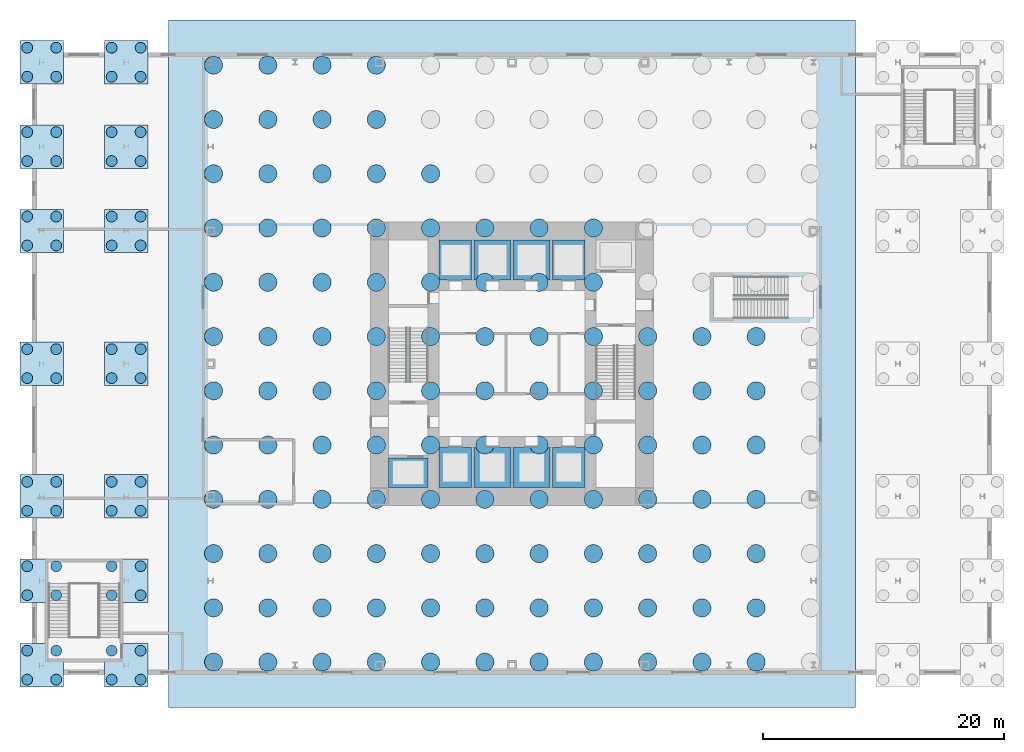
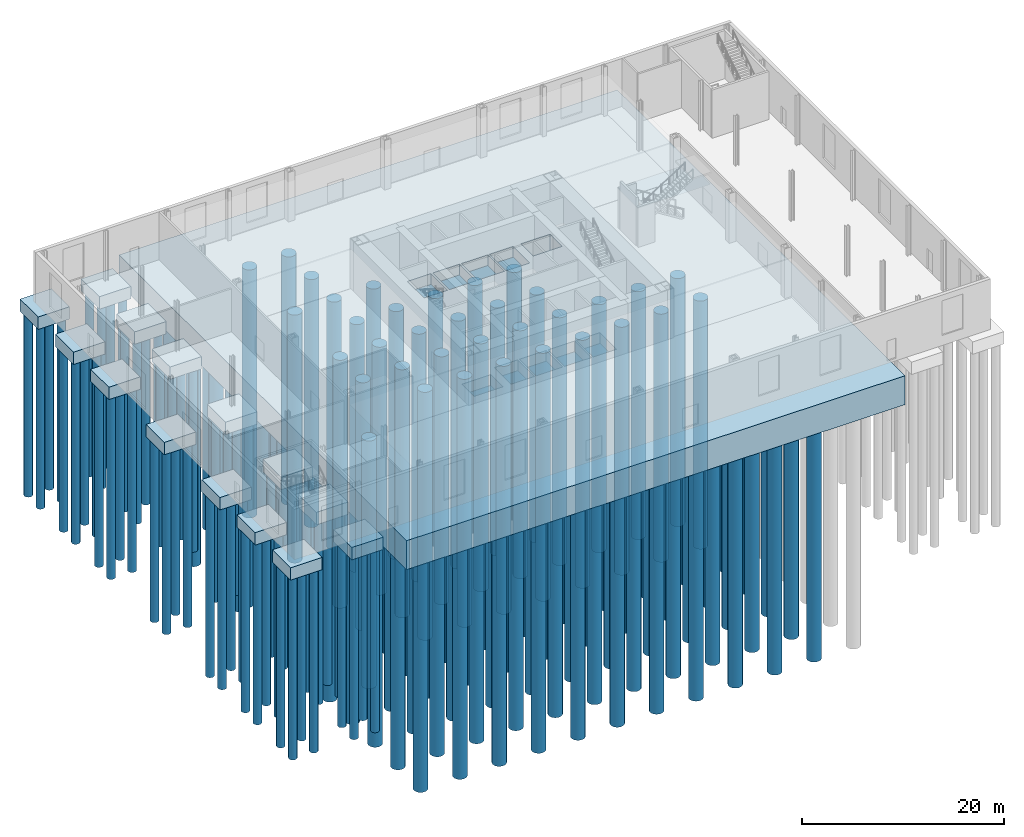
# One storey, part 1 of 16: 162 piles, 24 footings.
"""IFC4 building model written with IfcOpenShell, lengths in metres."""

from ifc_helpers import new_model, si_unit, direction, frame, origin, origin_2d, place, context, subcontext, project, spatial, polyline, circle, outline, extrude, material, layer, layer_set, material_profile, profile_set, type_object, element, save


model = new_model("IFC4")

# Units and contexts
model_context = context("Model", 3, precision=1e-05, world=origin(), true_north=direction((0.0, 1.0)))
body_context = subcontext(model_context, "Body", "Model", "MODEL_VIEW")
ifc_project = project(units=[si_unit("LENGTHUNIT", "METRE"), si_unit("AREAUNIT", "SQUARE_METRE"), si_unit("VOLUMEUNIT", "CUBIC_METRE"), si_unit("PLANEANGLEUNIT", "RADIAN"), si_unit("MASSUNIT", "GRAM", prefix="KILO")], contexts=[model_context])

# Site, building, storey
site_placement = place(None, origin())
site = spatial("IfcSite", under=ifc_project, at=site_placement, CompositionType="ELEMENT")
building_placement = place(site_placement, origin())
building = spatial("IfcBuilding", under=site, at=building_placement, Name="Trevanion Tower", CompositionType="ELEMENT")
storey_placement = place(building_placement, origin())
storey = spatial("IfcBuildingStorey", under=building, at=storey_placement, Name="L00", CompositionType="ELEMENT", Elevation=0.0)

# Piles
ifc_material_1 = material(Name="Concrete 6,000 psi", Category="concrete")
ifc_material_profile_1 = material_profile(ifc_material_1, circle(Radius=0.449951171875, at=origin_2d()), Name="BP1 bored pile 900")
ifc_profile_set_1 = profile_set([ifc_material_profile_1], Name="Concrete 6,000 psi")
pile_type_1 = type_object("IfcPileType", Name="BP1 bored pile 900", PredefinedType="BORED", material=ifc_profile_set_1)
for number, where, z_axis, x_axis, name in (
    (1, (-40.199951171875, -26.199951171875, -1.800048828125), (0.0, 0.0, -1.0), (1.0, 0.0, 0.0), "BP1 1/A 1"),
    (2, (-37.800048828125, -26.199951171875, -1.800048828125), (0.0, 0.0, -1.0), (1.0, 0.0, 0.0), "BP1 1/A 2"),
    (3, (-37.800048828125, -23.800048828125, -1.800048828125), (0.0, 0.0, -1.0), (1.0, 0.0, 0.0), "BP1 1/A 3"),
    (4, (-40.199951171875, -23.800048828125, -1.800048828125), (0.0, 0.0, -1.0), (1.0, 0.0, 0.0), "BP1 1/A 4"),
    (5, (-40.199951171875, -19.199951171875, -1.800048828125), (0.0, 0.0, -1.0), (1.0, 0.0, 0.0), "BP1 1/D 1"),
    (6, (-37.800048828125, -19.199951171875, -1.800048828125), (0.0, 0.0, -1.0), (1.0, 0.0, 0.0), "BP1 1/D 2"),
    (7, (-37.800048828125, -16.800048828125, -1.800048828125), (0.0, 0.0, -1.0), (1.0, 0.0, 0.0), "BP1 1/D 3"),
    (8, (-40.199951171875, -16.800048828125, -1.800048828125), (0.0, 0.0, -1.0), (1.0, 0.0, 0.0), "BP1 1/D 4"),
    (9, (-40.199951171875, -12.199951171875, -1.800048828125), (0.0, 0.0, -1.0), (1.0, 0.0, 0.0), "BP1 1/F 1"),
    (10, (-37.800048828125, -12.199951171875, -1.800048828125), (0.0, 0.0, -1.0), (1.0, 0.0, 0.0), "BP1 1/F 2"),
    (11, (-37.800048828125, -9.800048828125, -1.800048828125), (0.0, 0.0, -1.0), (1.0, 0.0, 0.0), "BP1 1/F 3"),
    (12, (-40.199951171875, -9.800048828125, -1.800048828125), (0.0, 0.0, -1.0), (1.0, 0.0, 0.0), "BP1 1/F 4"),
    (13, (-40.199951171875, -1.199951171875, -1.800048828125), (0.0, 0.0, -1.0), (1.0, 0.0, 0.0), "BP1 1/H 1"),
    (14, (-37.800048828125, -1.199951171875, -1.800048828125), (0.0, 0.0, -1.0), (1.0, 0.0, 0.0), "BP1 1/H 2"),
    (15, (-37.800048828125, 1.199951171875, -1.800048828125), (0.0, 0.0, -1.0), (1.0, 0.0, 0.0), "BP1 1/H 3"),
    (16, (-40.199951171875, 1.199951171875, -1.800048828125), (0.0, 0.0, -1.0), (1.0, 0.0, 0.0), "BP1 1/H 4"),
    (17, (-40.199951171875, 9.800048828125, -1.800048828125), (0.0, 0.0, -1.0), (1.0, 0.0, 0.0), "BP1 1/K 1"),
    (18, (-37.800048828125, 9.800048828125, -1.800048828125), (0.0, 0.0, -1.0), (1.0, 0.0, 0.0), "BP1 1/K 2"),
    (19, (-37.800048828125, 12.199951171875, -1.800048828125), (0.0, 0.0, -1.0), (1.0, 0.0, 0.0), "BP1 1/K 3"),
    (20, (-40.199951171875, 12.199951171875, -1.800048828125), (0.0, 0.0, -1.0), (1.0, 0.0, 0.0), "BP1 1/K 4"),
    (21, (-40.199951171875, 16.800048828125, -1.800048828125), (0.0, 0.0, -1.0), (1.0, 0.0, 0.0), "BP1 1/M 1"),
    (22, (-37.800048828125, 16.800048828125, -1.800048828125), (0.0, 0.0, -1.0), (1.0, 0.0, 0.0), "BP1 1/M 2"),
    (23, (-37.800048828125, 19.199951171875, -1.800048828125), (0.0, 0.0, -1.0), (1.0, 0.0, 0.0), "BP1 1/M 3"),
    (24, (-40.199951171875, 19.199951171875, -1.800048828125), (0.0, 0.0, -1.0), (1.0, 0.0, 0.0), "BP1 1/M 4"),
    (25, (-40.199951171875, 23.800048828125, -1.800048828125), (0.0, 0.0, -1.0), (1.0, 0.0, 0.0), "BP1 1/Q 1"),
    (26, (-37.800048828125, 23.800048828125, -1.800048828125), (0.0, 0.0, -1.0), (1.0, 0.0, 0.0), "BP1 1/Q 2"),
    (27, (-37.800048828125, 26.199951171875, -1.800048828125), (0.0, 0.0, -1.0), (1.0, 0.0, 0.0), "BP1 1/Q 3"),
    (28, (-40.199951171875, 26.199951171875, -1.800048828125), (0.0, 0.0, -1.0), (1.0, 0.0, 0.0), "BP1 1/Q 4"),
    (29, (-33.199951171875, -26.199951171875, -1.800048828125), (0.0, 0.0, -1.0), (1.0, 0.0, 0.0), "BP1 2/A 1"),
    (30, (-30.800048828125, -26.199951171875, -1.800048828125), (0.0, 0.0, -1.0), (1.0, 0.0, 0.0), "BP1 2/A 2"),
    (31, (-30.800048828125, -23.800048828125, -1.800048828125), (0.0, 0.0, -1.0), (1.0, 0.0, 0.0), "BP1 2/A 3"),
    (32, (-33.199951171875, -23.800048828125, -1.800048828125), (0.0, 0.0, -1.0), (1.0, 0.0, 0.0), "BP1 2/A 4"),
    (33, (-33.199951171875, -19.199951171875, -1.800048828125), (0.0, 0.0, -1.0), (1.0, 0.0, 0.0), "BP1 2/D 1"),
    (34, (-30.800048828125, -19.199951171875, -1.800048828125), (0.0, 0.0, -1.0), (1.0, 0.0, 0.0), "BP1 2/D 2"),
    (35, (-30.800048828125, -16.800048828125, -1.800048828125), (0.0, 0.0, -1.0), (1.0, 0.0, 0.0), "BP1 2/D 3"),
    (36, (-33.199951171875, -16.800048828125, -1.800048828125), (0.0, 0.0, -1.0), (1.0, 0.0, 0.0), "BP1 2/D 4"),
    (37, (-33.199951171875, -12.199951171875, -1.800048828125), (0.0, 0.0, -1.0), (1.0, 0.0, 0.0), "BP1 2/F 1"),
    (38, (-30.800048828125, -12.199951171875, -1.800048828125), (0.0, 0.0, -1.0), (1.0, 0.0, 0.0), "BP1 2/F 2"),
    (39, (-30.800048828125, -9.800048828125, -1.800048828125), (0.0, 0.0, -1.0), (1.0, 0.0, 0.0), "BP1 2/F 3"),
    (40, (-33.199951171875, -9.800048828125, -1.800048828125), (0.0, 0.0, -1.0), (1.0, 0.0, 0.0), "BP1 2/F 4"),
    (41, (-33.199951171875, -1.199951171875, -1.800048828125), (0.0, 0.0, -1.0), (1.0, 0.0, 0.0), "BP1 2/H 1"),
    (42, (-30.800048828125, -1.199951171875, -1.800048828125), (0.0, 0.0, -1.0), (1.0, 0.0, 0.0), "BP1 2/H 2"),
    (43, (-30.800048828125, 1.199951171875, -1.800048828125), (0.0, 0.0, -1.0), (1.0, 0.0, 0.0), "BP1 2/H 3"),
    (44, (-33.199951171875, 1.199951171875, -1.800048828125), (0.0, 0.0, -1.0), (1.0, 0.0, 0.0), "BP1 2/H 4"),
    (45, (-33.199951171875, 9.800048828125, -1.800048828125), (0.0, 0.0, -1.0), (1.0, 0.0, 0.0), "BP1 2/K 1"),
    (46, (-30.800048828125, 9.800048828125, -1.800048828125), (0.0, 0.0, -1.0), (1.0, 0.0, 0.0), "BP1 2/K 2"),
    (47, (-30.800048828125, 12.199951171875, -1.800048828125), (0.0, 0.0, -1.0), (1.0, 0.0, 0.0), "BP1 2/K 3"),
    (48, (-33.199951171875, 12.199951171875, -1.800048828125), (0.0, 0.0, -1.0), (1.0, 0.0, 0.0), "BP1 2/K 4"),
    (49, (-33.199951171875, 16.800048828125, -1.800048828125), (0.0, 0.0, -1.0), (1.0, 0.0, 0.0), "BP1 2/M 1"),
    (50, (-30.800048828125, 16.800048828125, -1.800048828125), (0.0, 0.0, -1.0), (1.0, 0.0, 0.0), "BP1 2/M 2"),
    (51, (-30.800048828125, 19.199951171875, -1.800048828125), (0.0, 0.0, -1.0), (1.0, 0.0, 0.0), "BP1 2/M 3"),
    (52, (-33.199951171875, 19.199951171875, -1.800048828125), (0.0, 0.0, -1.0), (1.0, 0.0, 0.0), "BP1 2/M 4"),
    (53, (-33.199951171875, 23.800048828125, -1.800048828125), (0.0, 0.0, -1.0), (1.0, 0.0, 0.0), "BP1 2/Q 1"),
    (54, (-30.800048828125, 23.800048828125, -1.800048828125), (0.0, 0.0, -1.0), (1.0, 0.0, 0.0), "BP1 2/Q 2"),
    (55, (-30.800048828125, 26.199951171875, -1.800048828125), (0.0, 0.0, -1.0), (1.0, 0.0, 0.0), "BP1 2/Q 3"),
    (56, (-33.199951171875, 26.199951171875, -1.800048828125), (0.0, 0.0, -1.0), (1.0, 0.0, 0.0), "BP1 2/Q 4"),
):
    element("IfcPile", number, at=place(storey_placement, frame(where, z_axis=z_axis, x_axis=x_axis)), inside=storey, type_object=pile_type_1, Name=name, PredefinedType="BORED", context=body_context, shape_type="SweptSolid", body=[
        extrude(circle(Radius=0.449951171875, at=origin_2d()), origin(), (0.0, 0.0, 1.0), 22.0),
    ])
ifc_material_2 = material(Name="Concrete 6,000 psi", Category="concrete")
ifc_material_profile_2 = material_profile(ifc_material_2, circle(Radius=0.75, at=origin_2d()), Name="DS1 drilled shaft 1500")
ifc_profile_set_2 = profile_set([ifc_material_profile_2], Name="Concrete 6,000 psi")
pile_type_2 = type_object("IfcPileType", Name="DS1 drilled shaft 1500", PredefinedType="BORED", material=ifc_profile_set_2)
for number, where, z_axis, x_axis, name in (
    (57, (-24.75, -24.75, -3.800048828125), (0.0, 0.0, -1.0), (1.0, 0.0, 0.0), "DS1-001"),
    (58, (-24.75, -20.25, -3.800048828125), (0.0, 0.0, -1.0), (1.0, 0.0, 0.0), "DS1-002"),
    (59, (-24.75, -15.75, -3.800048828125), (0.0, 0.0, -1.0), (1.0, 0.0, 0.0), "DS1-003"),
    (60, (-24.75, -11.25, -3.800048828125), (0.0, 0.0, -1.0), (1.0, 0.0, 0.0), "DS1-004"),
    (61, (-24.75, -6.75, -3.800048828125), (0.0, 0.0, -1.0), (1.0, 0.0, 0.0), "DS1-005"),
    (62, (-24.75, -2.25, -3.800048828125), (0.0, 0.0, -1.0), (1.0, 0.0, 0.0), "DS1-006"),
    (63, (-24.75, 2.25, -3.800048828125), (0.0, 0.0, -1.0), (1.0, 0.0, 0.0), "DS1-007"),
    (64, (-24.75, 6.75, -3.800048828125), (0.0, 0.0, -1.0), (1.0, 0.0, 0.0), "DS1-008"),
    (65, (-24.75, 11.25, -3.800048828125), (0.0, 0.0, -1.0), (1.0, 0.0, 0.0), "DS1-009"),
    (66, (-24.75, 15.75, -3.800048828125), (0.0, 0.0, -1.0), (1.0, 0.0, 0.0), "DS1-010"),
    (67, (-24.75, 20.25, -3.800048828125), (0.0, 0.0, -1.0), (1.0, 0.0, 0.0), "DS1-011"),
    (68, (-24.75, 24.75, -3.800048828125), (0.0, 0.0, -1.0), (1.0, 0.0, 0.0), "DS1-012"),
    (69, (-20.25, -24.75, -3.800048828125), (0.0, 0.0, -1.0), (1.0, 0.0, 0.0), "DS1-013"),
    (70, (-20.25, -20.25, -3.800048828125), (0.0, 0.0, -1.0), (1.0, 0.0, 0.0), "DS1-014"),
    (71, (-20.25, -15.75, -3.800048828125), (0.0, 0.0, -1.0), (1.0, 0.0, 0.0), "DS1-015"),
    (72, (-20.25, -11.25, -3.800048828125), (0.0, 0.0, -1.0), (1.0, 0.0, 0.0), "DS1-016"),
    (73, (-20.25, -6.75, -3.800048828125), (0.0, 0.0, -1.0), (1.0, 0.0, 0.0), "DS1-017"),
    (74, (-20.25, -2.25, -3.800048828125), (0.0, 0.0, -1.0), (1.0, 0.0, 0.0), "DS1-018"),
    (75, (-20.25, 2.25, -3.800048828125), (0.0, 0.0, -1.0), (1.0, 0.0, 0.0), "DS1-019"),
    (76, (-20.25, 6.75, -3.800048828125), (0.0, 0.0, -1.0), (1.0, 0.0, 0.0), "DS1-020"),
    (77, (-20.25, 11.25, -3.800048828125), (0.0, 0.0, -1.0), (1.0, 0.0, 0.0), "DS1-021"),
    (78, (-20.25, 15.75, -3.800048828125), (0.0, 0.0, -1.0), (1.0, 0.0, 0.0), "DS1-022"),
    (79, (-20.25, 20.25, -3.800048828125), (0.0, 0.0, -1.0), (1.0, 0.0, 0.0), "DS1-023"),
    (80, (-20.25, 24.75, -3.800048828125), (0.0, 0.0, -1.0), (1.0, 0.0, 0.0), "DS1-024"),
    (81, (-15.75, -24.75, -3.800048828125), (0.0, 0.0, -1.0), (1.0, 0.0, 0.0), "DS1-025"),
    (82, (-15.75, -20.25, -3.800048828125), (0.0, 0.0, -1.0), (1.0, 0.0, 0.0), "DS1-026"),
    (83, (-15.75, -15.75, -3.800048828125), (0.0, 0.0, -1.0), (1.0, 0.0, 0.0), "DS1-027"),
    (84, (-15.75, -11.25, -3.800048828125), (0.0, 0.0, -1.0), (1.0, 0.0, 0.0), "DS1-028"),
    (85, (-15.75, -6.75, -3.800048828125), (0.0, 0.0, -1.0), (1.0, 0.0, 0.0), "DS1-029"),
    (86, (-15.75, -2.25, -3.800048828125), (0.0, 0.0, -1.0), (1.0, 0.0, 0.0), "DS1-030"),
    (87, (-15.75, 2.25, -3.800048828125), (0.0, 0.0, -1.0), (1.0, 0.0, 0.0), "DS1-031"),
    (88, (-15.75, 6.75, -3.800048828125), (0.0, 0.0, -1.0), (1.0, 0.0, 0.0), "DS1-032"),
    (89, (-15.75, 11.25, -3.800048828125), (0.0, 0.0, -1.0), (1.0, 0.0, 0.0), "DS1-033"),
    (90, (-15.75, 15.75, -3.800048828125), (0.0, 0.0, -1.0), (1.0, 0.0, 0.0), "DS1-034"),
    (91, (-15.75, 20.25, -3.800048828125), (0.0, 0.0, -1.0), (1.0, 0.0, 0.0), "DS1-035"),
    (92, (-15.75, 24.75, -3.800048828125), (0.0, 0.0, -1.0), (1.0, 0.0, 0.0), "DS1-036"),
    (93, (-11.25, -24.75, -3.800048828125), (0.0, 0.0, -1.0), (1.0, 0.0, 0.0), "DS1-037"),
    (94, (-11.25, -20.25, -3.800048828125), (0.0, 0.0, -1.0), (1.0, 0.0, 0.0), "DS1-038"),
    (95, (-11.25, -15.75, -3.800048828125), (0.0, 0.0, -1.0), (1.0, 0.0, 0.0), "DS1-039"),
    (96, (-11.25, -11.25, -3.800048828125), (0.0, 0.0, -1.0), (1.0, 0.0, 0.0), "DS1-040"),
    (97, (-11.25, -6.75, -3.800048828125), (0.0, 0.0, -1.0), (1.0, 0.0, 0.0), "DS1-041"),
    (98, (-11.25, -2.25, -3.800048828125), (0.0, 0.0, -1.0), (1.0, 0.0, 0.0), "DS1-042"),
    (99, (-11.25, 2.25, -3.800048828125), (0.0, 0.0, -1.0), (1.0, 0.0, 0.0), "DS1-043"),
    (100, (-11.25, 6.75, -3.800048828125), (0.0, 0.0, -1.0), (1.0, 0.0, 0.0), "DS1-044"),
    (101, (-11.25, 11.25, -3.800048828125), (0.0, 0.0, -1.0), (1.0, 0.0, 0.0), "DS1-045"),
    (102, (-11.25, 15.75, -3.800048828125), (0.0, 0.0, -1.0), (1.0, 0.0, 0.0), "DS1-046"),
    (103, (-11.25, 20.25, -3.800048828125), (0.0, 0.0, -1.0), (1.0, 0.0, 0.0), "DS1-047"),
    (104, (-11.25, 24.75, -3.800048828125), (0.0, 0.0, -1.0), (1.0, 0.0, 0.0), "DS1-048"),
    (105, (-6.75, -24.75, -3.800048828125), (0.0, 0.0, -1.0), (1.0, 0.0, 0.0), "DS1-049"),
    (106, (-6.75, -20.25, -3.800048828125), (0.0, 0.0, -1.0), (1.0, 0.0, 0.0), "DS1-050"),
    (107, (-6.75, -15.75, -3.800048828125), (0.0, 0.0, -1.0), (1.0, 0.0, 0.0), "DS1-051"),
    (108, (-6.75, -11.25, -3.800048828125), (0.0, 0.0, -1.0), (1.0, 0.0, 0.0), "DS1-052"),
    (109, (-6.75, -6.75, -3.800048828125), (0.0, 0.0, -1.0), (1.0, 0.0, 0.0), "DS1-053"),
    (110, (-6.75, -2.25, -3.800048828125), (0.0, 0.0, -1.0), (1.0, 0.0, 0.0), "DS1-054"),
    (111, (-6.75, 2.25, -3.800048828125), (0.0, 0.0, -1.0), (1.0, 0.0, 0.0), "DS1-055"),
    (112, (-6.75, 6.75, -3.800048828125), (0.0, 0.0, -1.0), (1.0, 0.0, 0.0), "DS1-056"),
    (113, (-6.75, 11.25, -3.800048828125), (0.0, 0.0, -1.0), (1.0, 0.0, 0.0), "DS1-057"),
    (114, (-6.75, 15.75, -3.800048828125), (0.0, 0.0, -1.0), (1.0, 0.0, 0.0), "DS1-058"),
    (115, (-2.25, -24.75, -3.800048828125), (0.0, 0.0, -1.0), (1.0, 0.0, 0.0), "DS1-061"),
    (116, (-2.25, -20.25, -3.800048828125), (0.0, 0.0, -1.0), (1.0, 0.0, 0.0), "DS1-062"),
    (117, (-2.25, -15.75, -3.800048828125), (0.0, 0.0, -1.0), (1.0, 0.0, 0.0), "DS1-063"),
    (118, (-2.25, -11.25, -3.800048828125), (0.0, 0.0, -1.0), (1.0, 0.0, 0.0), "DS1-064"),
    (119, (-2.25, -6.75, -3.800048828125), (0.0, 0.0, -1.0), (1.0, 0.0, 0.0), "DS1-065"),
    (120, (-2.25, -2.25, -3.800048828125), (0.0, 0.0, -1.0), (1.0, 0.0, 0.0), "DS1-066"),
    (121, (-2.25, 2.25, -3.800048828125), (0.0, 0.0, -1.0), (1.0, 0.0, 0.0), "DS1-067"),
    (122, (-2.25, 6.75, -3.800048828125), (0.0, 0.0, -1.0), (1.0, 0.0, 0.0), "DS1-068"),
    (123, (-2.25, 11.25, -3.800048828125), (0.0, 0.0, -1.0), (1.0, 0.0, 0.0), "DS1-069"),
    (124, (2.25, -24.75, -3.800048828125), (0.0, 0.0, -1.0), (1.0, 0.0, 0.0), "DS1-073"),
    (125, (2.25, -20.25, -3.800048828125), (0.0, 0.0, -1.0), (1.0, 0.0, 0.0), "DS1-074"),
    (126, (2.25, -15.75, -3.800048828125), (0.0, 0.0, -1.0), (1.0, 0.0, 0.0), "DS1-075"),
    (127, (2.25, -11.25, -3.800048828125), (0.0, 0.0, -1.0), (1.0, 0.0, 0.0), "DS1-076"),
    (128, (2.25, -6.75, -3.800048828125), (0.0, 0.0, -1.0), (1.0, 0.0, 0.0), "DS1-077"),
    (129, (2.25, -2.25, -3.800048828125), (0.0, 0.0, -1.0), (1.0, 0.0, 0.0), "DS1-078"),
    (130, (2.25, 2.25, -3.800048828125), (0.0, 0.0, -1.0), (1.0, 0.0, 0.0), "DS1-079"),
    (131, (2.25, 6.75, -3.800048828125), (0.0, 0.0, -1.0), (1.0, 0.0, 0.0), "DS1-080"),
    (132, (2.25, 11.25, -3.800048828125), (0.0, 0.0, -1.0), (1.0, 0.0, 0.0), "DS1-081"),
    (133, (6.75, -24.75, -3.800048828125), (0.0, 0.0, -1.0), (1.0, 0.0, 0.0), "DS1-085"),
    (134, (6.75, -20.25, -3.800048828125), (0.0, 0.0, -1.0), (1.0, 0.0, 0.0), "DS1-086"),
    (135, (6.75, -15.75, -3.800048828125), (0.0, 0.0, -1.0), (1.0, 0.0, 0.0), "DS1-087"),
    (136, (6.75, -11.25, -3.800048828125), (0.0, 0.0, -1.0), (1.0, 0.0, 0.0), "DS1-088"),
    (137, (6.75, -6.75, -3.800048828125), (0.0, 0.0, -1.0), (1.0, 0.0, 0.0), "DS1-089"),
    (138, (6.75, -2.25, -3.800048828125), (0.0, 0.0, -1.0), (1.0, 0.0, 0.0), "DS1-090"),
    (139, (6.75, 2.25, -3.800048828125), (0.0, 0.0, -1.0), (1.0, 0.0, 0.0), "DS1-091"),
    (140, (6.75, 6.75, -3.800048828125), (0.0, 0.0, -1.0), (1.0, 0.0, 0.0), "DS1-092"),
    (141, (6.75, 11.25, -3.800048828125), (0.0, 0.0, -1.0), (1.0, 0.0, 0.0), "DS1-093"),
    (142, (11.25, -24.75, -3.800048828125), (0.0, 0.0, -1.0), (1.0, 0.0, 0.0), "DS1-097"),
    (143, (11.25, -20.25, -3.800048828125), (0.0, 0.0, -1.0), (1.0, 0.0, 0.0), "DS1-098"),
    (144, (11.25, -15.75, -3.800048828125), (0.0, 0.0, -1.0), (1.0, 0.0, 0.0), "DS1-099"),
    (145, (11.25, -11.25, -3.800048828125), (0.0, 0.0, -1.0), (1.0, 0.0, 0.0), "DS1-100"),
    (146, (11.25, -6.75, -3.800048828125), (0.0, 0.0, -1.0), (1.0, 0.0, 0.0), "DS1-101"),
    (147, (11.25, -2.25, -3.800048828125), (0.0, 0.0, -1.0), (1.0, 0.0, 0.0), "DS1-102"),
    (148, (11.25, 2.25, -3.800048828125), (0.0, 0.0, -1.0), (1.0, 0.0, 0.0), "DS1-103"),
    (149, (15.75, -24.75, -3.800048828125), (0.0, 0.0, -1.0), (1.0, 0.0, 0.0), "DS1-109"),
    (150, (15.75, -20.25, -3.800048828125), (0.0, 0.0, -1.0), (1.0, 0.0, 0.0), "DS1-110"),
    (151, (15.75, -15.75, -3.800048828125), (0.0, 0.0, -1.0), (1.0, 0.0, 0.0), "DS1-111"),
    (152, (15.75, -11.25, -3.800048828125), (0.0, 0.0, -1.0), (1.0, 0.0, 0.0), "DS1-112"),
    (153, (15.75, -6.75, -3.800048828125), (0.0, 0.0, -1.0), (1.0, 0.0, 0.0), "DS1-113"),
    (154, (15.75, -2.25, -3.800048828125), (0.0, 0.0, -1.0), (1.0, 0.0, 0.0), "DS1-114"),
    (155, (15.75, 2.25, -3.800048828125), (0.0, 0.0, -1.0), (1.0, 0.0, 0.0), "DS1-115"),
    (156, (20.25, -24.75, -3.800048828125), (0.0, 0.0, -1.0), (1.0, 0.0, 0.0), "DS1-121"),
    (157, (20.25, -20.25, -3.800048828125), (0.0, 0.0, -1.0), (1.0, 0.0, 0.0), "DS1-122"),
    (158, (20.25, -15.75, -3.800048828125), (0.0, 0.0, -1.0), (1.0, 0.0, 0.0), "DS1-123"),
    (159, (20.25, -11.25, -3.800048828125), (0.0, 0.0, -1.0), (1.0, 0.0, 0.0), "DS1-124"),
    (160, (20.25, -6.75, -3.800048828125), (0.0, 0.0, -1.0), (1.0, 0.0, 0.0), "DS1-125"),
    (161, (20.25, -2.25, -3.800048828125), (0.0, 0.0, -1.0), (1.0, 0.0, 0.0), "DS1-126"),
    (162, (20.25, 2.25, -3.800048828125), (0.0, 0.0, -1.0), (1.0, 0.0, 0.0), "DS1-127"),
):
    element("IfcPile", number, at=place(storey_placement, frame(where, z_axis=z_axis, x_axis=x_axis)), inside=storey, type_object=pile_type_2, Name=name, PredefinedType="BORED", context=body_context, shape_type="SweptSolid", body=[
        extrude(circle(Radius=0.75, at=origin_2d()), origin(), (0.0, 0.0, 1.0), 30.0),
    ])

# Footings
ifc_material_3 = material(Name="Concrete 8,000 psi", Category="concrete")
ifc_layer_1 = layer(ifc_material_3, 3.5)
ifc_layer_set_1 = layer_set([ifc_layer_1], Name="MAT1 piled mat")
footing_type_1 = type_object("IfcFootingType", Name="MAT1 piled mat", PredefinedType="PILE_CAP", material=ifc_layer_set_1)
footing_1_placement = place(storey_placement, frame((0.0, 0.0, -3.800048828125)))
element("IfcFooting", 163, at=footing_1_placement, inside=storey, type_object=footing_type_1, Name="MAT1", PredefinedType="PILE_CAP", context=body_context, shape_type="SweptSolid", body=[
    extrude(outline(polyline([(28.5, -28.5), (28.5, 28.5), (-28.5, 28.5), (-28.5, -28.5), (28.5, -28.5)]), holes=[polyline([(-6.050048828125, 6.949951171875), (-3.35009765625, 6.949951171875), (-3.35009765625, 10.25), (-6.050048828125, 10.25), (-6.050048828125, 6.949951171875)]), polyline([(-6.050048828125, -10.25), (-3.35009765625, -10.25), (-3.35009765625, -6.949951171875), (-6.050048828125, -6.949951171875), (-6.050048828125, -10.25)]), polyline([(-3.14990234375, 6.949951171875), (-0.10009765625, 6.949951171875), (-0.10009765625, 10.25), (-3.14990234375, 10.25), (-3.14990234375, 6.949951171875)]), polyline([(-3.14990234375, -10.25), (-0.10009765625, -10.25), (-0.10009765625, -6.949951171875), (-3.14990234375, -6.949951171875), (-3.14990234375, -10.25)]), polyline([(0.10009765625, 6.949951171875), (3.14990234375, 6.949951171875), (3.14990234375, 10.25), (0.10009765625, 10.25), (0.10009765625, 6.949951171875)]), polyline([(0.10009765625, -10.25), (3.14990234375, -10.25), (3.14990234375, -6.949951171875), (0.10009765625, -6.949951171875), (0.10009765625, -10.25)]), polyline([(3.35009765625, 6.949951171875), (6.050048828125, 6.949951171875), (6.050048828125, 10.25), (3.35009765625, 10.25), (3.35009765625, 6.949951171875)]), polyline([(3.35009765625, -10.25), (6.050048828125, -10.25), (6.050048828125, -6.949951171875), (3.35009765625, -6.949951171875), (3.35009765625, -10.25)]), polyline([(6.949951171875, 7.824951171875), (10.25, 7.824951171875), (10.25, 10.25), (6.949951171875, 10.25), (6.949951171875, 7.824951171875)]), polyline([(-10.25, -10.25), (-6.949951171875, -10.25), (-6.949951171875, -7.824951171875), (-10.25, -7.824951171875), (-10.25, -10.25)])]), origin(), (0.0, 0.0, 1.0), 3.5),
])
footing_2_placement = place(storey_placement, frame((0.0, 0.0, -3.800048828125)))
element("IfcFooting", 164, at=footing_2_placement, inside=storey, type_object=footing_type_1, Name="MAT1 lift pit SH1", PredefinedType="PILE_CAP", context=body_context, shape_type="SweptSolid", body=[
    extrude(outline(polyline([(-6.050048828125, 6.949951171875), (-3.35009765625, 6.949951171875), (-3.35009765625, 10.25), (-6.050048828125, 10.25), (-6.050048828125, 6.949951171875)])), origin(), (0.0, 0.0, 1.0), 2.199951171875),
])
footing_3_placement = place(storey_placement, frame((0.0, 0.0, -3.800048828125)))
element("IfcFooting", 165, at=footing_3_placement, inside=storey, type_object=footing_type_1, Name="MAT1 lift pit A1", PredefinedType="PILE_CAP", context=body_context, shape_type="SweptSolid", body=[
    extrude(outline(polyline([(-6.050048828125, -10.25), (-3.35009765625, -10.25), (-3.35009765625, -6.949951171875), (-6.050048828125, -6.949951171875), (-6.050048828125, -10.25)])), origin(), (0.0, 0.0, 1.0), 2.199951171875),
])
footing_4_placement = place(storey_placement, frame((0.0, 0.0, -3.800048828125)))
element("IfcFooting", 166, at=footing_4_placement, inside=storey, type_object=footing_type_1, Name="MAT1 lift pit SH2", PredefinedType="PILE_CAP", context=body_context, shape_type="SweptSolid", body=[
    extrude(outline(polyline([(-3.14990234375, 6.949951171875), (-0.10009765625, 6.949951171875), (-0.10009765625, 10.25), (-3.14990234375, 10.25), (-3.14990234375, 6.949951171875)])), origin(), (0.0, 0.0, 1.0), 2.199951171875),
])
footing_5_placement = place(storey_placement, frame((0.0, 0.0, -3.800048828125)))
element("IfcFooting", 167, at=footing_5_placement, inside=storey, type_object=footing_type_1, Name="MAT1 lift pit A2", PredefinedType="PILE_CAP", context=body_context, shape_type="SweptSolid", body=[
    extrude(outline(polyline([(-3.14990234375, -10.25), (-0.10009765625, -10.25), (-0.10009765625, -6.949951171875), (-3.14990234375, -6.949951171875), (-3.14990234375, -10.25)])), origin(), (0.0, 0.0, 1.0), 2.199951171875),
])
footing_6_placement = place(storey_placement, frame((0.0, 0.0, -3.800048828125)))
element("IfcFooting", 168, at=footing_6_placement, inside=storey, type_object=footing_type_1, Name="MAT1 lift pit SH3", PredefinedType="PILE_CAP", context=body_context, shape_type="SweptSolid", body=[
    extrude(outline(polyline([(0.10009765625, 6.949951171875), (3.14990234375, 6.949951171875), (3.14990234375, 10.25), (0.10009765625, 10.25), (0.10009765625, 6.949951171875)])), origin(), (0.0, 0.0, 1.0), 2.199951171875),
])
footing_7_placement = place(storey_placement, frame((0.0, 0.0, -3.800048828125)))
element("IfcFooting", 169, at=footing_7_placement, inside=storey, type_object=footing_type_1, Name="MAT1 lift pit A3", PredefinedType="PILE_CAP", context=body_context, shape_type="SweptSolid", body=[
    extrude(outline(polyline([(0.10009765625, -10.25), (3.14990234375, -10.25), (3.14990234375, -6.949951171875), (0.10009765625, -6.949951171875), (0.10009765625, -10.25)])), origin(), (0.0, 0.0, 1.0), 2.199951171875),
])
footing_8_placement = place(storey_placement, frame((0.0, 0.0, -3.800048828125)))
element("IfcFooting", 170, at=footing_8_placement, inside=storey, type_object=footing_type_1, Name="MAT1 lift pit SH4", PredefinedType="PILE_CAP", context=body_context, shape_type="SweptSolid", body=[
    extrude(outline(polyline([(3.35009765625, 6.949951171875), (6.050048828125, 6.949951171875), (6.050048828125, 10.25), (3.35009765625, 10.25), (3.35009765625, 6.949951171875)])), origin(), (0.0, 0.0, 1.0), 2.199951171875),
])
footing_9_placement = place(storey_placement, frame((0.0, 0.0, -3.800048828125)))
element("IfcFooting", 171, at=footing_9_placement, inside=storey, type_object=footing_type_1, Name="MAT1 lift pit A4", PredefinedType="PILE_CAP", context=body_context, shape_type="SweptSolid", body=[
    extrude(outline(polyline([(3.35009765625, -10.25), (6.050048828125, -10.25), (6.050048828125, -6.949951171875), (3.35009765625, -6.949951171875), (3.35009765625, -10.25)])), origin(), (0.0, 0.0, 1.0), 2.199951171875),
])
footing_10_placement = place(storey_placement, frame((0.0, 0.0, -3.800048828125)))
element("IfcFooting", 172, at=footing_10_placement, inside=storey, type_object=footing_type_1, Name="MAT1 lift pit FL2", PredefinedType="PILE_CAP", context=body_context, shape_type="SweptSolid", body=[
    extrude(outline(polyline([(-10.25, -10.25), (-6.949951171875, -10.25), (-6.949951171875, -7.824951171875), (-10.25, -7.824951171875), (-10.25, -10.25)])), origin(), (0.0, 0.0, 1.0), 2.199951171875),
])
ifc_material_4 = material(Name="Concrete 8,000 psi", Category="concrete")
ifc_layer_2 = layer(ifc_material_4, 1.5)
ifc_layer_set_2 = layer_set([ifc_layer_2], Name="PC4 four-pile cap")
footing_type_2 = type_object("IfcFootingType", Name="PC4 four-pile cap", PredefinedType="PILE_CAP", material=ifc_layer_set_2)
footing_11_placement = place(storey_placement, frame((0.0, 0.0, -1.800048828125)))
element("IfcFooting", 173, at=footing_11_placement, inside=storey, type_object=footing_type_2, Name="PC4 1/A", PredefinedType="PILE_CAP", context=body_context, shape_type="SweptSolid", body=[
    extrude(outline(polyline([(-37.199951171875, -26.800048828125), (-37.199951171875, -23.199951171875), (-40.800048828125, -23.199951171875), (-40.800048828125, -26.800048828125), (-37.199951171875, -26.800048828125)])), origin(), (0.0, 0.0, 1.0), 1.5),
])
footing_12_placement = place(storey_placement, frame((0.0, 0.0, -1.800048828125)))
element("IfcFooting", 174, at=footing_12_placement, inside=storey, type_object=footing_type_2, Name="PC4 1/D", PredefinedType="PILE_CAP", context=body_context, shape_type="SweptSolid", body=[
    extrude(outline(polyline([(-37.199951171875, -19.800048828125), (-37.199951171875, -16.199951171875), (-40.800048828125, -16.199951171875), (-40.800048828125, -19.800048828125), (-37.199951171875, -19.800048828125)])), origin(), (0.0, 0.0, 1.0), 1.5),
])
footing_13_placement = place(storey_placement, frame((0.0, 0.0, -1.800048828125)))
element("IfcFooting", 175, at=footing_13_placement, inside=storey, type_object=footing_type_2, Name="PC4 1/F", PredefinedType="PILE_CAP", context=body_context, shape_type="SweptSolid", body=[
    extrude(outline(polyline([(-37.199951171875, -12.800048828125), (-37.199951171875, -9.199951171875), (-40.800048828125, -9.199951171875), (-40.800048828125, -12.800048828125), (-37.199951171875, -12.800048828125)])), origin(), (0.0, 0.0, 1.0), 1.5),
])
footing_14_placement = place(storey_placement, frame((0.0, 0.0, -1.800048828125)))
element("IfcFooting", 176, at=footing_14_placement, inside=storey, type_object=footing_type_2, Name="PC4 1/H", PredefinedType="PILE_CAP", context=body_context, shape_type="SweptSolid", body=[
    extrude(outline(polyline([(-37.199951171875, -1.800048828125), (-37.199951171875, 1.800048828125), (-40.800048828125, 1.800048828125), (-40.800048828125, -1.800048828125), (-37.199951171875, -1.800048828125)])), origin(), (0.0, 0.0, 1.0), 1.5),
])
footing_15_placement = place(storey_placement, frame((0.0, 0.0, -1.800048828125)))
element("IfcFooting", 177, at=footing_15_placement, inside=storey, type_object=footing_type_2, Name="PC4 1/K", PredefinedType="PILE_CAP", context=body_context, shape_type="SweptSolid", body=[
    extrude(outline(polyline([(-37.199951171875, 9.199951171875), (-37.199951171875, 12.800048828125), (-40.800048828125, 12.800048828125), (-40.800048828125, 9.199951171875), (-37.199951171875, 9.199951171875)])), origin(), (0.0, 0.0, 1.0), 1.5),
])
footing_16_placement = place(storey_placement, frame((0.0, 0.0, -1.800048828125)))
element("IfcFooting", 178, at=footing_16_placement, inside=storey, type_object=footing_type_2, Name="PC4 1/M", PredefinedType="PILE_CAP", context=body_context, shape_type="SweptSolid", body=[
    extrude(outline(polyline([(-37.199951171875, 16.199951171875), (-37.199951171875, 19.800048828125), (-40.800048828125, 19.800048828125), (-40.800048828125, 16.199951171875), (-37.199951171875, 16.199951171875)])), origin(), (0.0, 0.0, 1.0), 1.5),
])
footing_17_placement = place(storey_placement, frame((0.0, 0.0, -1.800048828125)))
element("IfcFooting", 179, at=footing_17_placement, inside=storey, type_object=footing_type_2, Name="PC4 1/Q", PredefinedType="PILE_CAP", context=body_context, shape_type="SweptSolid", body=[
    extrude(outline(polyline([(-37.199951171875, 23.199951171875), (-37.199951171875, 26.800048828125), (-40.800048828125, 26.800048828125), (-40.800048828125, 23.199951171875), (-37.199951171875, 23.199951171875)])), origin(), (0.0, 0.0, 1.0), 1.5),
])
footing_18_placement = place(storey_placement, frame((0.0, 0.0, -1.800048828125)))
element("IfcFooting", 180, at=footing_18_placement, inside=storey, type_object=footing_type_2, Name="PC4 2/A", PredefinedType="PILE_CAP", context=body_context, shape_type="SweptSolid", body=[
    extrude(outline(polyline([(-30.199951171875, -26.800048828125), (-30.199951171875, -23.199951171875), (-33.800048828125, -23.199951171875), (-33.800048828125, -26.800048828125), (-30.199951171875, -26.800048828125)])), origin(), (0.0, 0.0, 1.0), 1.5),
])
footing_19_placement = place(storey_placement, frame((0.0, 0.0, -1.800048828125)))
element("IfcFooting", 181, at=footing_19_placement, inside=storey, type_object=footing_type_2, Name="PC4 2/D", PredefinedType="PILE_CAP", context=body_context, shape_type="SweptSolid", body=[
    extrude(outline(polyline([(-30.199951171875, -19.800048828125), (-30.199951171875, -16.199951171875), (-33.800048828125, -16.199951171875), (-33.800048828125, -19.800048828125), (-30.199951171875, -19.800048828125)])), origin(), (0.0, 0.0, 1.0), 1.5),
])
footing_20_placement = place(storey_placement, frame((0.0, 0.0, -1.800048828125)))
element("IfcFooting", 182, at=footing_20_placement, inside=storey, type_object=footing_type_2, Name="PC4 2/F", PredefinedType="PILE_CAP", context=body_context, shape_type="SweptSolid", body=[
    extrude(outline(polyline([(-30.199951171875, -12.800048828125), (-30.199951171875, -9.199951171875), (-33.800048828125, -9.199951171875), (-33.800048828125, -12.800048828125), (-30.199951171875, -12.800048828125)])), origin(), (0.0, 0.0, 1.0), 1.5),
])
footing_21_placement = place(storey_placement, frame((0.0, 0.0, -1.800048828125)))
element("IfcFooting", 183, at=footing_21_placement, inside=storey, type_object=footing_type_2, Name="PC4 2/H", PredefinedType="PILE_CAP", context=body_context, shape_type="SweptSolid", body=[
    extrude(outline(polyline([(-30.199951171875, -1.800048828125), (-30.199951171875, 1.800048828125), (-33.800048828125, 1.800048828125), (-33.800048828125, -1.800048828125), (-30.199951171875, -1.800048828125)])), origin(), (0.0, 0.0, 1.0), 1.5),
])
footing_22_placement = place(storey_placement, frame((0.0, 0.0, -1.800048828125)))
element("IfcFooting", 184, at=footing_22_placement, inside=storey, type_object=footing_type_2, Name="PC4 2/K", PredefinedType="PILE_CAP", context=body_context, shape_type="SweptSolid", body=[
    extrude(outline(polyline([(-30.199951171875, 9.199951171875), (-30.199951171875, 12.800048828125), (-33.800048828125, 12.800048828125), (-33.800048828125, 9.199951171875), (-30.199951171875, 9.199951171875)])), origin(), (0.0, 0.0, 1.0), 1.5),
])
footing_23_placement = place(storey_placement, frame((0.0, 0.0, -1.800048828125)))
element("IfcFooting", 185, at=footing_23_placement, inside=storey, type_object=footing_type_2, Name="PC4 2/M", PredefinedType="PILE_CAP", context=body_context, shape_type="SweptSolid", body=[
    extrude(outline(polyline([(-30.199951171875, 16.199951171875), (-30.199951171875, 19.800048828125), (-33.800048828125, 19.800048828125), (-33.800048828125, 16.199951171875), (-30.199951171875, 16.199951171875)])), origin(), (0.0, 0.0, 1.0), 1.5),
])
footing_24_placement = place(storey_placement, frame((0.0, 0.0, -1.800048828125)))
element("IfcFooting", 186, at=footing_24_placement, inside=storey, type_object=footing_type_2, Name="PC4 2/Q", PredefinedType="PILE_CAP", context=body_context, shape_type="SweptSolid", body=[
    extrude(outline(polyline([(-30.199951171875, 23.199951171875), (-30.199951171875, 26.800048828125), (-33.800048828125, 26.800048828125), (-33.800048828125, 23.199951171875), (-30.199951171875, 23.199951171875)])), origin(), (0.0, 0.0, 1.0), 1.5),
])

save(model, "model.ifc")
